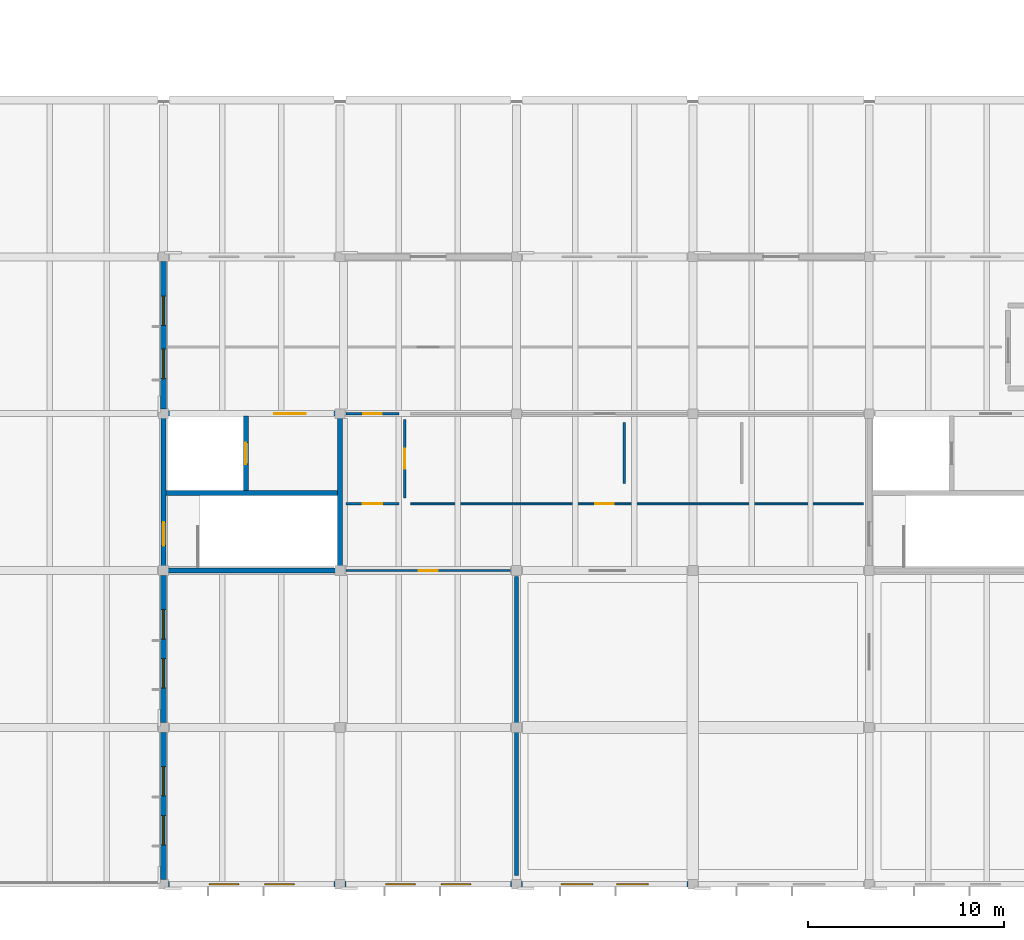
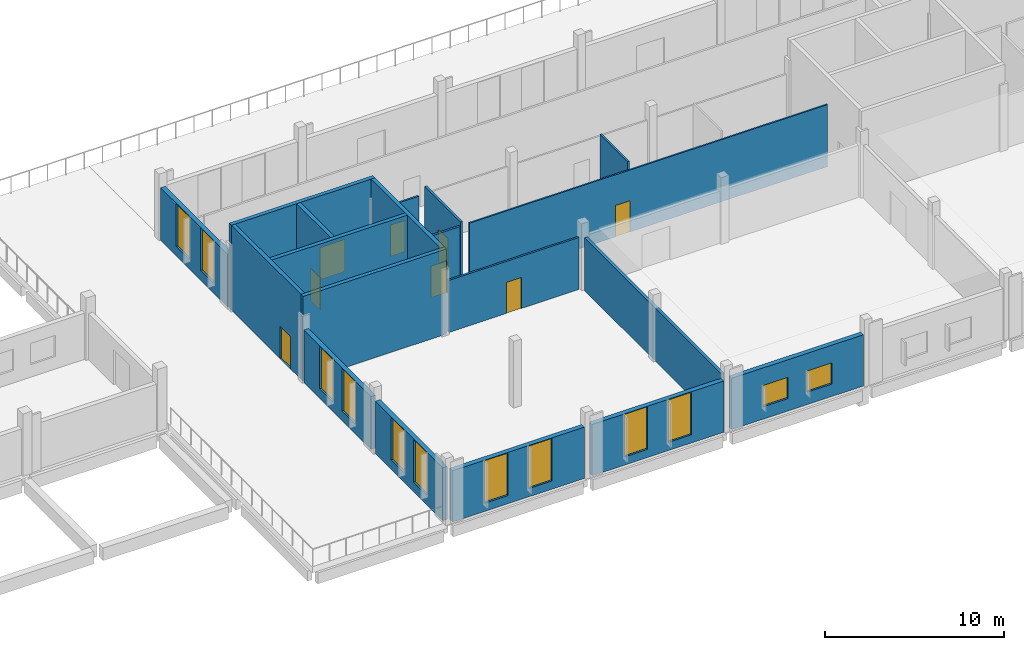
# One storey, part 12 of 25: 19 walls, 12 windows, 8 doors, 20 openings.
"""IFC4 building model written with IfcOpenShell, lengths in metres."""

from ifc_helpers import new_model, si_unit, direction, frame, frame_2d, origin, place, context, subcontext, project, spatial, rectangle, extrude, material, layer, layer_set, type_object, element, fill, save


model = new_model("IFC4")

# Units and contexts
model_context = context("Model", 3, precision=1e-05, world=origin(), true_north=direction((0.0, 1.0)))
body_context = subcontext(model_context, "Body", "Model", "MODEL_VIEW")
ifc_project = project(units=[si_unit("LENGTHUNIT", "METRE"), si_unit("AREAUNIT", "SQUARE_METRE"), si_unit("VOLUMEUNIT", "CUBIC_METRE"), si_unit("PLANEANGLEUNIT", "RADIAN"), si_unit("MASSUNIT", "GRAM", prefix="KILO")], contexts=[model_context])

# Site, building, storey
site_placement = place(None, origin())
site = spatial("IfcSite", under=ifc_project, at=site_placement, CompositionType="ELEMENT")
building_placement = place(site_placement, origin())
building = spatial("IfcBuilding", under=site, at=building_placement, Name="Zacnel Wholesale Market", CompositionType="ELEMENT")
storey_placement = place(building_placement, frame((0.0, 0.0, 15.75)))
storey = spatial("IfcBuildingStorey", under=building, at=storey_placement, Name="L04", CompositionType="ELEMENT", Elevation=15.75)

# Walls
ifc_material_1 = material(Name="PIR insulated cold-store panel")
ifc_layer_1 = layer(ifc_material_1, 0.195068359375)
ifc_layer_set_1 = layer_set([ifc_layer_1], Name="PIR insulated cold-store panel")
wall_type_1 = type_object("IfcWallType", Name="WL-COLD-INT195", PredefinedType="STANDARD", material=ifc_layer_set_1)
wall_1_placement = place(storey_placement, frame((171.0, 0.449951171875, 0.0), z_axis=(0.0, 0.0, 1.0), x_axis=(0.0, 1.0, 0.0)))
element("IfcWall", 1, at=wall_1_placement, inside=storey, type_object=wall_type_1, Name="Interior partition L04-0218", PredefinedType="STANDARD", context=body_context, shape_type="SweptSolid", body=[
    extrude(rectangle(XDim=15.25, YDim=0.195068359375, at=frame_2d((7.625, 0.0))), origin(), (0.0, 0.0, 1.0), 3.60009765625),
])
ifc_material_2 = material(Name="Concrete C40/50", Category="concrete")
ifc_layer_2 = layer(ifc_material_2, 0.25)
ifc_layer_set_2 = layer_set([ifc_layer_2], Name="Concrete C40/50")
wall_type_2 = type_object("IfcWallType", Name="WL-CORE-SW250", PredefinedType="SOLIDWALL", material=ifc_layer_set_2)
wall_2_placement = place(storey_placement, frame((152.875, 16.0, 0.0), z_axis=(0.0, 0.0, 1.0), x_axis=(1.0, 0.0, 0.0)))
element("IfcWall", 2, at=wall_2_placement, inside=storey, type_object=wall_type_2, Name="Core C1 south shear wall L04", PredefinedType="SOLIDWALL", context=body_context, shape_type="SweptSolid", body=[
    extrude(rectangle(XDim=9.25, YDim=0.25, at=frame_2d((4.625, 0.0))), origin(), (0.0, 0.0, 1.0), 5.800048828125),
])

# Wall, opening, door
wall_3_placement = place(storey_placement, frame((152.875, 24.0, 0.0), z_axis=(0.0, 0.0, 1.0), x_axis=(1.0, 0.0, 0.0)))
wall_3 = element("IfcWall", 3, at=wall_3_placement, inside=storey, type_object=wall_type_2, Name="Core C1 north shear wall L04", PredefinedType="SOLIDWALL", context=body_context, shape_type="SweptSolid", body=[
    extrude(rectangle(XDim=9.25, YDim=0.25, at=frame_2d((4.625, 0.0))), origin(), (0.0, 0.0, 1.0), 5.800048828125),
])
opening_1_placement = place(wall_3_placement, frame((5.77490234375, 0.0, 0.0)))
opening_1 = element("IfcOpeningElement", 4, at=opening_1_placement, cuts=wall_3, Name="Opening FD-02", PredefinedType="OPENING", context=body_context, shape_type="SweptSolid", body=[
    extrude(rectangle(XDim=1.60009765625, YDim=2.199951171875, at=frame_2d((0.800048828125, 1.10009765625))), frame((0.0, 0.135009765625, 0.0), z_axis=(0.0, -1.0, 0.0), x_axis=(1.0, 0.0, 0.0)), (0.0, 0.0, 1.0), 0.27001953125),
])
ifc_material_3 = material(Name="Galvanized steel", Category="steel")
door_type_1 = type_object("IfcDoorType", Name="DR-FIRE-LOBBY-1600", OperationType="NOTDEFINED", PredefinedType="DOOR", material=ifc_material_3)
door_1_placement = place(opening_1_placement, origin())
door_1 = element("IfcDoor", 5, at=door_1_placement, inside=storey, type_object=door_type_1, Name="Core lift lobby fire door C1 L04", OperationType="SINGLE_SWING_LEFT", OverallHeight=2.199951171875, OverallWidth=1.60009765625, PredefinedType="DOOR", context=body_context, shape_type="SweptSolid", body=[
    extrude(rectangle(XDim=1.60009765625, YDim=2.199951171875, at=frame_2d((0.800048828125, 1.10009765625))), frame((0.0, 0.02490234375, 0.0), z_axis=(0.0, -1.0, 0.0), x_axis=(1.0, 0.0, 0.0)), (0.0, 0.0, 1.0), 0.050048828125),
])
fill(opening_1, door_1)

wall_4_placement = place(storey_placement, frame((153.0, 16.125, 0.0), z_axis=(0.0, 0.0, 1.0), x_axis=(0.0, 1.0, 0.0)))
wall_4 = element("IfcWall", 6, at=wall_4_placement, inside=storey, type_object=wall_type_2, Name="Core C1 west shear wall L04", PredefinedType="SOLIDWALL", context=body_context, shape_type="SweptSolid", body=[
    extrude(rectangle(XDim=7.75, YDim=0.25, at=frame_2d((3.875, 0.0))), origin(), (0.0, 0.0, 1.0), 5.800048828125),
])
opening_2_placement = place(wall_4_placement, frame((1.14990234375, 0.0, 0.0)))
opening_2 = element("IfcOpeningElement", 7, at=opening_2_placement, cuts=wall_4, Name="Opening FD-01", PredefinedType="OPENING", context=body_context, shape_type="SweptSolid", body=[
    extrude(rectangle(XDim=1.199951171875, YDim=2.199951171875, at=frame_2d((0.60009765625, 1.10009765625))), frame((0.0, 0.135009765625, 0.0), z_axis=(0.0, -1.0, 0.0), x_axis=(1.0, 0.0, 0.0)), (0.0, 0.0, 1.0), 0.27001953125),
])
ifc_material_4 = material(Name="Galvanized steel", Category="steel")
door_type_2 = type_object("IfcDoorType", Name="DR-FIRE-STAIR-1200", OperationType="NOTDEFINED", PredefinedType="DOOR", material=ifc_material_4)
door_2_placement = place(opening_2_placement, origin())
door_2 = element("IfcDoor", 8, at=door_2_placement, inside=storey, type_object=door_type_2, Name="Protected stair fire door C1 L04", OperationType="SINGLE_SWING_RIGHT", OverallHeight=2.199951171875, OverallWidth=1.199951171875, PredefinedType="DOOR", context=body_context, shape_type="SweptSolid", body=[
    extrude(rectangle(XDim=1.199951171875, YDim=2.199951171875, at=frame_2d((0.60009765625, 1.10009765625))), frame((0.0, 0.02490234375, 0.0), z_axis=(0.0, -1.0, 0.0), x_axis=(1.0, 0.0, 0.0)), (0.0, 0.0, 1.0), 0.050048828125),
])
fill(opening_2, door_2)

# Walls
wall_5_placement = place(storey_placement, frame((162.0, 16.125, 0.0), z_axis=(0.0, 0.0, 1.0), x_axis=(0.0, 1.0, 0.0)))
element("IfcWall", 9, at=wall_5_placement, inside=storey, type_object=wall_type_2, Name="Core C1 east shear wall L04", PredefinedType="SOLIDWALL", context=body_context, shape_type="SweptSolid", body=[
    extrude(rectangle(XDim=7.75, YDim=0.25, at=frame_2d((3.875, 0.0))), origin(), (0.0, 0.0, 1.0), 5.800048828125),
])
wall_6_placement = place(storey_placement, frame((153.125, 19.949951171875, 0.0), z_axis=(0.0, 0.0, 1.0), x_axis=(1.0, 0.0, 0.0)))
element("IfcWall", 10, at=wall_6_placement, inside=storey, type_object=wall_type_2, Name="Core C1 stair-shaft shear wall L04", PredefinedType="SOLIDWALL", context=body_context, shape_type="SweptSolid", body=[
    extrude(rectangle(XDim=8.75, YDim=0.25, at=frame_2d((4.375, 0.0))), origin(), (0.0, 0.0, 1.0), 5.800048828125),
])

# Wall, opening, door
wall_7_placement = place(storey_placement, frame((157.199951171875, 20.074951171875, 0.0), z_axis=(0.0, 0.0, 1.0), x_axis=(0.0, 1.0, 0.0)))
wall_7 = element("IfcWall", 11, at=wall_7_placement, inside=storey, type_object=wall_type_2, Name="Core C1 lift shaft front wall L04", PredefinedType="SOLIDWALL", context=body_context, shape_type="SweptSolid", body=[
    extrude(rectangle(XDim=3.800048828125, YDim=0.25, at=frame_2d((1.89990234375, 0.0))), origin(), (0.0, 0.0, 1.0), 5.800048828125),
])
opening_3_placement = place(wall_7_placement, frame((1.35009765625, 0.0, 0.0)))
opening_3 = element("IfcOpeningElement", 12, at=opening_3_placement, cuts=wall_7, Name="Opening LD-01", PredefinedType="OPENING", context=body_context, shape_type="SweptSolid", body=[
    extrude(rectangle(XDim=1.10009765625, YDim=2.199951171875, at=frame_2d((0.550048828125, 1.10009765625))), frame((0.0, 0.135009765625, 0.0), z_axis=(0.0, -1.0, 0.0), x_axis=(1.0, 0.0, 0.0)), (0.0, 0.0, 1.0), 0.27001953125),
])
ifc_material_5 = material(Name="Galvanized steel", Category="steel")
door_type_3 = type_object("IfcDoorType", Name="DR-LIFT-PASS-1100", OperationType="NOTDEFINED", PredefinedType="DOOR", material=ifc_material_5)
door_3_placement = place(opening_3_placement, origin())
door_3 = element("IfcDoor", 13, at=door_3_placement, inside=storey, type_object=door_type_3, Name="Lift landing door LP-01 L04", OperationType="SLIDING_TO_LEFT", OverallHeight=2.199951171875, OverallWidth=1.10009765625, PredefinedType="DOOR", context=body_context, shape_type="SweptSolid", body=[
    extrude(rectangle(XDim=1.10009765625, YDim=2.199951171875, at=frame_2d((0.550048828125, 1.10009765625))), frame((0.0, 0.02490234375, 0.0), z_axis=(0.0, -1.0, 0.0), x_axis=(1.0, 0.0, 0.0)), (0.0, 0.0, 1.0), 0.050048828125),
])
fill(opening_3, door_3)

# Wall, openings, windows
ifc_material_6 = material(Name="Precast concrete C40/50 (Cancun limestone aggregate)", Category="masonry")
ifc_layer_3 = layer(ifc_material_6, 0.300048828125)
ifc_layer_set_3 = layer_set([ifc_layer_3], Name="Precast concrete C40/50 (Cancun limestone aggregate)")
wall_type_3 = type_object("IfcWallType", Name="WL-EXT-LIME-300", PredefinedType="SOLIDWALL", material=ifc_layer_set_3)
wall_8_placement = place(storey_placement, frame((153.25, 0.0, 0.0), z_axis=(0.0, 0.0, 1.0), x_axis=(1.0, 0.0, 0.0)))
wall_8 = element("IfcWall", 14, at=wall_8_placement, inside=storey, type_object=wall_type_3, Name="Exterior wall L04-0481", PredefinedType="SOLIDWALL", context=body_context, shape_type="SweptSolid", body=[
    extrude(rectangle(XDim=8.5, YDim=0.300048828125, at=frame_2d((4.25, 0.0))), origin(), (0.0, 0.0, 1.0), 3.5),
])
opening_4_placement = place(wall_8_placement, frame((2.0830078125, 0.0, 0.56005859375)))
opening_4 = element("IfcOpeningElement", 15, at=opening_4_placement, cuts=wall_8, Name="Opening W-04", PredefinedType="OPENING", context=body_context, shape_type="SweptSolid", body=[
    extrude(rectangle(XDim=1.5, YDim=2.89990234375, at=frame_2d((0.75, 1.449951171875))), frame((0.0, 0.159912109375, 0.0), z_axis=(0.0, -1.0, 0.0), x_axis=(1.0, 0.0, 0.0)), (0.0, 0.0, 1.0), 0.320068359375),
])
opening_5_placement = place(wall_8_placement, frame((4.9169921875, 0.0, 0.56005859375)))
opening_5 = element("IfcOpeningElement", 16, at=opening_5_placement, cuts=wall_8, Name="Opening W-04", PredefinedType="OPENING", context=body_context, shape_type="SweptSolid", body=[
    extrude(rectangle(XDim=1.5, YDim=2.89990234375, at=frame_2d((0.75, 1.449951171875))), frame((0.0, 0.159912109375, 0.0), z_axis=(0.0, -1.0, 0.0), x_axis=(1.0, 0.0, 0.0)), (0.0, 0.0, 1.0), 0.320068359375),
])
ifc_material_7 = material(Name="Laminated hurricane-impact low-E insulated glass", Category="glass")
window_type_1 = type_object("IfcWindowType", Name="WIN-DEC-1500X2900", PartitioningType="DOUBLE_PANEL_VERTICAL", PredefinedType="WINDOW", material=ifc_material_7)
window_1_placement = place(opening_4_placement, origin())
window_1 = element("IfcWindow", 17, at=window_1_placement, inside=storey, type_object=window_type_1, Name="Window L04-0508", OverallHeight=2.89990234375, OverallWidth=1.5, PartitioningType="DOUBLE_PANEL_VERTICAL", PredefinedType="WINDOW", context=body_context, shape_type="SweptSolid", body=[
    extrude(rectangle(XDim=1.5, YDim=2.89990234375, at=frame_2d((0.75, 1.449951171875))), frame((0.0, 0.030029296875, 0.0), z_axis=(0.0, -1.0, 0.0), x_axis=(1.0, 0.0, 0.0)), (0.0, 0.0, 1.0), 0.06005859375),
])
fill(opening_4, window_1)
window_2_placement = place(opening_5_placement, origin())
window_2 = element("IfcWindow", 18, at=window_2_placement, inside=storey, type_object=window_type_1, Name="Window L04-0509", OverallHeight=2.89990234375, OverallWidth=1.5, PartitioningType="DOUBLE_PANEL_VERTICAL", PredefinedType="WINDOW", context=body_context, shape_type="SweptSolid", body=[
    extrude(rectangle(XDim=1.5, YDim=2.89990234375, at=frame_2d((0.75, 1.449951171875))), frame((0.0, 0.030029296875, 0.0), z_axis=(0.0, -1.0, 0.0), x_axis=(1.0, 0.0, 0.0)), (0.0, 0.0, 1.0), 0.06005859375),
])
fill(opening_5, window_2)

wall_9_placement = place(storey_placement, frame((162.25, 0.0, 0.0), z_axis=(0.0, 0.0, 1.0), x_axis=(1.0, 0.0, 0.0)))
wall_9 = element("IfcWall", 19, at=wall_9_placement, inside=storey, type_object=wall_type_3, Name="Exterior wall L04-0482", PredefinedType="SOLIDWALL", context=body_context, shape_type="SweptSolid", body=[
    extrude(rectangle(XDim=8.5, YDim=0.300048828125, at=frame_2d((4.25, 0.0))), origin(), (0.0, 0.0, 1.0), 3.5),
])
opening_6_placement = place(wall_9_placement, frame((2.0830078125, 0.0, 0.56005859375)))
opening_6 = element("IfcOpeningElement", 20, at=opening_6_placement, cuts=wall_9, Name="Opening W-04", PredefinedType="OPENING", context=body_context, shape_type="SweptSolid", body=[
    extrude(rectangle(XDim=1.5, YDim=2.89990234375, at=frame_2d((0.75, 1.449951171875))), frame((0.0, 0.159912109375, 0.0), z_axis=(0.0, -1.0, 0.0), x_axis=(1.0, 0.0, 0.0)), (0.0, 0.0, 1.0), 0.320068359375),
])
opening_7_placement = place(wall_9_placement, frame((4.9169921875, 0.0, 0.56005859375)))
opening_7 = element("IfcOpeningElement", 21, at=opening_7_placement, cuts=wall_9, Name="Opening W-04", PredefinedType="OPENING", context=body_context, shape_type="SweptSolid", body=[
    extrude(rectangle(XDim=1.5, YDim=2.89990234375, at=frame_2d((0.75, 1.449951171875))), frame((0.0, 0.159912109375, 0.0), z_axis=(0.0, -1.0, 0.0), x_axis=(1.0, 0.0, 0.0)), (0.0, 0.0, 1.0), 0.320068359375),
])
window_3_placement = place(opening_6_placement, origin())
window_3 = element("IfcWindow", 22, at=window_3_placement, inside=storey, type_object=window_type_1, Name="Window L04-0510", OverallHeight=2.89990234375, OverallWidth=1.5, PartitioningType="DOUBLE_PANEL_VERTICAL", PredefinedType="WINDOW", context=body_context, shape_type="SweptSolid", body=[
    extrude(rectangle(XDim=1.5, YDim=2.89990234375, at=frame_2d((0.75, 1.449951171875))), frame((0.0, 0.030029296875, 0.0), z_axis=(0.0, -1.0, 0.0), x_axis=(1.0, 0.0, 0.0)), (0.0, 0.0, 1.0), 0.06005859375),
])
fill(opening_6, window_3)
window_4_placement = place(opening_7_placement, origin())
window_4 = element("IfcWindow", 23, at=window_4_placement, inside=storey, type_object=window_type_1, Name="Window L04-0511", OverallHeight=2.89990234375, OverallWidth=1.5, PartitioningType="DOUBLE_PANEL_VERTICAL", PredefinedType="WINDOW", context=body_context, shape_type="SweptSolid", body=[
    extrude(rectangle(XDim=1.5, YDim=2.89990234375, at=frame_2d((0.75, 1.449951171875))), frame((0.0, 0.030029296875, 0.0), z_axis=(0.0, -1.0, 0.0), x_axis=(1.0, 0.0, 0.0)), (0.0, 0.0, 1.0), 0.06005859375),
])
fill(opening_7, window_4)

wall_10_placement = place(storey_placement, frame((171.25, 0.0, 0.0), z_axis=(0.0, 0.0, 1.0), x_axis=(1.0, 0.0, 0.0)))
wall_10 = element("IfcWall", 24, at=wall_10_placement, inside=storey, type_object=wall_type_3, Name="Exterior wall L04-0483", PredefinedType="SOLIDWALL", context=body_context, shape_type="SweptSolid", body=[
    extrude(rectangle(XDim=8.5, YDim=0.300048828125, at=frame_2d((4.25, 0.0))), origin(), (0.0, 0.0, 1.0), 3.5),
])
opening_8_placement = place(wall_10_placement, frame((2.032958984375, 0.0, 0.85009765625)))
opening_8 = element("IfcOpeningElement", 25, at=opening_8_placement, cuts=wall_10, Name="Opening W-06", PredefinedType="OPENING", context=body_context, shape_type="SweptSolid", body=[
    extrude(rectangle(XDim=1.60009765625, YDim=1.449951171875, at=frame_2d((0.800048828125, 0.72509765625))), frame((0.0, 0.159912109375, 0.0), z_axis=(0.0, -1.0, 0.0), x_axis=(1.0, 0.0, 0.0)), (0.0, 0.0, 1.0), 0.320068359375),
])
opening_9_placement = place(wall_10_placement, frame((4.866943359375, 0.0, 0.85009765625)))
opening_9 = element("IfcOpeningElement", 26, at=opening_9_placement, cuts=wall_10, Name="Opening W-06", PredefinedType="OPENING", context=body_context, shape_type="SweptSolid", body=[
    extrude(rectangle(XDim=1.60009765625, YDim=1.449951171875, at=frame_2d((0.800048828125, 0.72509765625))), frame((0.0, 0.159912109375, 0.0), z_axis=(0.0, -1.0, 0.0), x_axis=(1.0, 0.0, 0.0)), (0.0, 0.0, 1.0), 0.320068359375),
])
ifc_material_8 = material(Name="Laminated hurricane-impact low-E insulated glass", Category="glass")
window_type_2 = type_object("IfcWindowType", Name="WIN-HIG-1600X1450", PartitioningType="DOUBLE_PANEL_HORIZONTAL", PredefinedType="WINDOW", material=ifc_material_8)
window_5_placement = place(opening_8_placement, origin())
window_5 = element("IfcWindow", 27, at=window_5_placement, inside=storey, type_object=window_type_2, Name="Window L04-0512", OverallHeight=1.449951171875, OverallWidth=1.60009765625, PartitioningType="DOUBLE_PANEL_HORIZONTAL", PredefinedType="WINDOW", context=body_context, shape_type="SweptSolid", body=[
    extrude(rectangle(XDim=1.60009765625, YDim=1.449951171875, at=frame_2d((0.800048828125, 0.72509765625))), frame((0.0, 0.030029296875, 0.0), z_axis=(0.0, -1.0, 0.0), x_axis=(1.0, 0.0, 0.0)), (0.0, 0.0, 1.0), 0.06005859375),
])
fill(opening_8, window_5)
window_6_placement = place(opening_9_placement, origin())
window_6 = element("IfcWindow", 28, at=window_6_placement, inside=storey, type_object=window_type_2, Name="Window L04-0513", OverallHeight=1.449951171875, OverallWidth=1.60009765625, PartitioningType="DOUBLE_PANEL_HORIZONTAL", PredefinedType="WINDOW", context=body_context, shape_type="SweptSolid", body=[
    extrude(rectangle(XDim=1.60009765625, YDim=1.449951171875, at=frame_2d((0.800048828125, 0.72509765625))), frame((0.0, 0.030029296875, 0.0), z_axis=(0.0, -1.0, 0.0), x_axis=(1.0, 0.0, 0.0)), (0.0, 0.0, 1.0), 0.06005859375),
])
fill(opening_9, window_6)

wall_11_placement = place(storey_placement, frame((153.0, 0.25, 0.0), z_axis=(0.0, 0.0, 1.0), x_axis=(0.0, 1.0, 0.0)))
wall_11 = element("IfcWall", 29, at=wall_11_placement, inside=storey, type_object=wall_type_3, Name="Exterior wall L04-0493", PredefinedType="SOLIDWALL", context=body_context, shape_type="SweptSolid", body=[
    extrude(rectangle(XDim=7.5, YDim=0.300048828125, at=frame_2d((3.75, 0.0))), origin(), (0.0, 0.0, 1.0), 3.60009765625),
])
opening_10_placement = place(wall_11_placement, frame((1.75, 0.0, 0.659912109375)))
opening_10 = element("IfcOpeningElement", 30, at=opening_10_placement, cuts=wall_11, Name="Opening W-04", PredefinedType="OPENING", context=body_context, shape_type="SweptSolid", body=[
    extrude(rectangle(XDim=1.5, YDim=2.89990234375, at=frame_2d((0.75, 1.449951171875))), frame((0.0, 0.159912109375, 0.0), z_axis=(0.0, -1.0, 0.0), x_axis=(1.0, 0.0, 0.0)), (0.0, 0.0, 1.0), 0.320068359375),
])
opening_11_placement = place(wall_11_placement, frame((4.25, 0.0, 0.659912109375)))
opening_11 = element("IfcOpeningElement", 31, at=opening_11_placement, cuts=wall_11, Name="Opening W-04", PredefinedType="OPENING", context=body_context, shape_type="SweptSolid", body=[
    extrude(rectangle(XDim=1.5, YDim=2.89990234375, at=frame_2d((0.75, 1.449951171875))), frame((0.0, 0.159912109375, 0.0), z_axis=(0.0, -1.0, 0.0), x_axis=(1.0, 0.0, 0.0)), (0.0, 0.0, 1.0), 0.320068359375),
])
window_7_placement = place(opening_10_placement, origin())
window_7 = element("IfcWindow", 32, at=window_7_placement, inside=storey, type_object=window_type_1, Name="Window L04-0526", OverallHeight=2.89990234375, OverallWidth=1.5, PartitioningType="DOUBLE_PANEL_VERTICAL", PredefinedType="WINDOW", context=body_context, shape_type="SweptSolid", body=[
    extrude(rectangle(XDim=1.5, YDim=2.89990234375, at=frame_2d((0.75, 1.449951171875))), frame((0.0, 0.030029296875, 0.0), z_axis=(0.0, -1.0, 0.0), x_axis=(1.0, 0.0, 0.0)), (0.0, 0.0, 1.0), 0.06005859375),
])
fill(opening_10, window_7)
window_8_placement = place(opening_11_placement, origin())
window_8 = element("IfcWindow", 33, at=window_8_placement, inside=storey, type_object=window_type_1, Name="Window L04-0527", OverallHeight=2.89990234375, OverallWidth=1.5, PartitioningType="DOUBLE_PANEL_VERTICAL", PredefinedType="WINDOW", context=body_context, shape_type="SweptSolid", body=[
    extrude(rectangle(XDim=1.5, YDim=2.89990234375, at=frame_2d((0.75, 1.449951171875))), frame((0.0, 0.030029296875, 0.0), z_axis=(0.0, -1.0, 0.0), x_axis=(1.0, 0.0, 0.0)), (0.0, 0.0, 1.0), 0.06005859375),
])
fill(opening_11, window_8)

wall_12_placement = place(storey_placement, frame((153.0, 8.25, 0.0), z_axis=(0.0, 0.0, 1.0), x_axis=(0.0, 1.0, 0.0)))
wall_12 = element("IfcWall", 34, at=wall_12_placement, inside=storey, type_object=wall_type_3, Name="Exterior wall L04-0494", PredefinedType="SOLIDWALL", context=body_context, shape_type="SweptSolid", body=[
    extrude(rectangle(XDim=7.5, YDim=0.300048828125, at=frame_2d((3.75, 0.0))), origin(), (0.0, 0.0, 1.0), 3.60009765625),
])
opening_12_placement = place(wall_12_placement, frame((1.75, 0.0, 0.659912109375)))
opening_12 = element("IfcOpeningElement", 35, at=opening_12_placement, cuts=wall_12, Name="Opening W-04", PredefinedType="OPENING", context=body_context, shape_type="SweptSolid", body=[
    extrude(rectangle(XDim=1.5, YDim=2.89990234375, at=frame_2d((0.75, 1.449951171875))), frame((0.0, 0.159912109375, 0.0), z_axis=(0.0, -1.0, 0.0), x_axis=(1.0, 0.0, 0.0)), (0.0, 0.0, 1.0), 0.320068359375),
])
opening_13_placement = place(wall_12_placement, frame((4.25, 0.0, 0.659912109375)))
opening_13 = element("IfcOpeningElement", 36, at=opening_13_placement, cuts=wall_12, Name="Opening W-04", PredefinedType="OPENING", context=body_context, shape_type="SweptSolid", body=[
    extrude(rectangle(XDim=1.5, YDim=2.89990234375, at=frame_2d((0.75, 1.449951171875))), frame((0.0, 0.159912109375, 0.0), z_axis=(0.0, -1.0, 0.0), x_axis=(1.0, 0.0, 0.0)), (0.0, 0.0, 1.0), 0.320068359375),
])
window_9_placement = place(opening_12_placement, origin())
window_9 = element("IfcWindow", 37, at=window_9_placement, inside=storey, type_object=window_type_1, Name="Window L04-0528", OverallHeight=2.89990234375, OverallWidth=1.5, PartitioningType="DOUBLE_PANEL_VERTICAL", PredefinedType="WINDOW", context=body_context, shape_type="SweptSolid", body=[
    extrude(rectangle(XDim=1.5, YDim=2.89990234375, at=frame_2d((0.75, 1.449951171875))), frame((0.0, 0.030029296875, 0.0), z_axis=(0.0, -1.0, 0.0), x_axis=(1.0, 0.0, 0.0)), (0.0, 0.0, 1.0), 0.06005859375),
])
fill(opening_12, window_9)
window_10_placement = place(opening_13_placement, origin())
window_10 = element("IfcWindow", 38, at=window_10_placement, inside=storey, type_object=window_type_1, Name="Window L04-0529", OverallHeight=2.89990234375, OverallWidth=1.5, PartitioningType="DOUBLE_PANEL_VERTICAL", PredefinedType="WINDOW", context=body_context, shape_type="SweptSolid", body=[
    extrude(rectangle(XDim=1.5, YDim=2.89990234375, at=frame_2d((0.75, 1.449951171875))), frame((0.0, 0.030029296875, 0.0), z_axis=(0.0, -1.0, 0.0), x_axis=(1.0, 0.0, 0.0)), (0.0, 0.0, 1.0), 0.06005859375),
])
fill(opening_13, window_10)

wall_13_placement = place(storey_placement, frame((153.0, 24.25, 0.0), z_axis=(0.0, 0.0, 1.0), x_axis=(0.0, 1.0, 0.0)))
wall_13 = element("IfcWall", 39, at=wall_13_placement, inside=storey, type_object=wall_type_3, Name="Exterior wall L04-0495", PredefinedType="SOLIDWALL", context=body_context, shape_type="SweptSolid", body=[
    extrude(rectangle(XDim=7.5, YDim=0.300048828125, at=frame_2d((3.75, 0.0))), origin(), (0.0, 0.0, 1.0), 3.60009765625),
])
opening_14_placement = place(wall_13_placement, frame((1.537109375, 0.0, 0.659912109375)))
opening_14 = element("IfcOpeningElement", 40, at=opening_14_placement, cuts=wall_13, Name="Opening W-04", PredefinedType="OPENING", context=body_context, shape_type="SweptSolid", body=[
    extrude(rectangle(XDim=1.5, YDim=2.89990234375, at=frame_2d((0.75, 1.449951171875))), frame((0.0, 0.159912109375, 0.0), z_axis=(0.0, -1.0, 0.0), x_axis=(1.0, 0.0, 0.0)), (0.0, 0.0, 1.0), 0.320068359375),
])
opening_15_placement = place(wall_13_placement, frame((4.25, 0.0, 0.659912109375)))
opening_15 = element("IfcOpeningElement", 41, at=opening_15_placement, cuts=wall_13, Name="Opening W-04", PredefinedType="OPENING", context=body_context, shape_type="SweptSolid", body=[
    extrude(rectangle(XDim=1.5, YDim=2.89990234375, at=frame_2d((0.75, 1.449951171875))), frame((0.0, 0.159912109375, 0.0), z_axis=(0.0, -1.0, 0.0), x_axis=(1.0, 0.0, 0.0)), (0.0, 0.0, 1.0), 0.320068359375),
])
window_11_placement = place(opening_14_placement, origin())
window_11 = element("IfcWindow", 42, at=window_11_placement, inside=storey, type_object=window_type_1, Name="Window L04-0530", OverallHeight=2.89990234375, OverallWidth=1.5, PartitioningType="DOUBLE_PANEL_VERTICAL", PredefinedType="WINDOW", context=body_context, shape_type="SweptSolid", body=[
    extrude(rectangle(XDim=1.5, YDim=2.89990234375, at=frame_2d((0.75, 1.449951171875))), frame((0.0, 0.030029296875, 0.0), z_axis=(0.0, -1.0, 0.0), x_axis=(1.0, 0.0, 0.0)), (0.0, 0.0, 1.0), 0.06005859375),
])
fill(opening_14, window_11)
window_12_placement = place(opening_15_placement, origin())
window_12 = element("IfcWindow", 43, at=window_12_placement, inside=storey, type_object=window_type_1, Name="Window L04-0531", OverallHeight=2.89990234375, OverallWidth=1.5, PartitioningType="DOUBLE_PANEL_VERTICAL", PredefinedType="WINDOW", context=body_context, shape_type="SweptSolid", body=[
    extrude(rectangle(XDim=1.5, YDim=2.89990234375, at=frame_2d((0.75, 1.449951171875))), frame((0.0, 0.030029296875, 0.0), z_axis=(0.0, -1.0, 0.0), x_axis=(1.0, 0.0, 0.0)), (0.0, 0.0, 1.0), 0.06005859375),
])
fill(opening_15, window_12)

# Wall
ifc_material_9 = material(Name="Acoustic operable partition system")
ifc_layer_4 = layer(ifc_material_9, 0.1201171875)
ifc_layer_set_4 = layer_set([ifc_layer_4], Name="Acoustic operable partition system")
wall_type_4 = type_object("IfcWallType", Name="WL-MOV-AC120", PredefinedType="MOVABLE", material=ifc_layer_set_4)
wall_14_placement = place(storey_placement, frame((176.5, 20.449951171875, 0.0), z_axis=(0.0, 0.0, 1.0), x_axis=(0.0, 1.0, 0.0)))
element("IfcWall", 44, at=wall_14_placement, inside=storey, type_object=wall_type_4, Name="Acoustic operable stall divider 01", PredefinedType="MOVABLE", context=body_context, shape_type="SweptSolid", body=[
    extrude(rectangle(XDim=3.10009765625, YDim=0.1201171875, at=frame_2d((1.550048828125, 0.0))), origin(), (0.0, 0.0, 1.0), 3.949951171875),
])

# Wall, opening, door
ifc_material_10 = material(Name="Moisture-resistant gypsum board partition")
ifc_layer_5 = layer(ifc_material_10, 0.10009765625)
ifc_layer_set_5 = layer_set([ifc_layer_5], Name="Moisture-resistant gypsum board partition")
wall_type_5 = type_object("IfcWallType", Name="WL-PART-GYP100", PredefinedType="PARTITIONING", material=ifc_layer_set_5)
wall_15_placement = place(storey_placement, frame((165.60009765625, 19.39990234375, 0.0), z_axis=(0.0, 0.0, 1.0), x_axis=(1.0, 0.0, 0.0)))
wall_15 = element("IfcWall", 45, at=wall_15_placement, inside=storey, type_object=wall_type_5, Name="Interior partition L04-0216", PredefinedType="PARTITIONING", context=body_context, shape_type="SweptSolid", body=[
    extrude(rectangle(XDim=23.099853515625, YDim=0.10009765625, at=frame_2d((11.5498046875, 0.0))), origin(), (0.0, 0.0, 1.0), 4.22998046875),
])
opening_16_placement = place(wall_15_placement, frame((9.429931640625, 0.0, 0.0)))
opening_16 = element("IfcOpeningElement", 46, at=opening_16_placement, cuts=wall_15, Name="Opening ID-11", PredefinedType="OPENING", context=body_context, shape_type="SweptSolid", body=[
    extrude(rectangle(XDim=0.93994140625, YDim=2.139892578125, at=frame_2d((0.469970703125, 1.06982421875))), frame((0.0, 0.06005859375, 0.0), z_axis=(0.0, -1.0, 0.0), x_axis=(1.0, 0.0, 0.0)), (0.0, 0.0, 1.0), 0.1201171875),
])
ifc_material_11 = material(Name="Solid-core tropical hardwood door", Category="wood")
door_type_4 = type_object("IfcDoorType", Name="DR-OFF-SGL-940", OperationType="NOTDEFINED", PredefinedType="DOOR", material=ifc_material_11)
door_4_placement = place(opening_16_placement, origin())
door_4 = element("IfcDoor", 47, at=door_4_placement, inside=storey, type_object=door_type_4, Name="Interior door L04-0169", OperationType="SINGLE_SWING_RIGHT", OverallHeight=2.139892578125, OverallWidth=0.93994140625, PredefinedType="DOOR", context=body_context, shape_type="SweptSolid", body=[
    extrude(rectangle(XDim=0.93994140625, YDim=2.139892578125, at=frame_2d((0.469970703125, 1.06982421875))), frame((0.0, 0.02490234375, 0.0), z_axis=(0.0, -1.0, 0.0), x_axis=(1.0, 0.0, 0.0)), (0.0, 0.0, 1.0), 0.050048828125),
])
fill(opening_16, door_4)

ifc_material_12 = material(Name="Moisture-resistant gypsum board partition")
ifc_layer_6 = layer(ifc_material_12, 0.110107421875)
ifc_layer_set_6 = layer_set([ifc_layer_6], Name="Moisture-resistant gypsum board partition")
wall_type_6 = type_object("IfcWallType", Name="WL-PART-GYP110", PredefinedType="PARTITIONING", material=ifc_layer_set_6)
wall_16_placement = place(storey_placement, frame((162.300048828125, 24.0, 0.0), z_axis=(0.0, 0.0, 1.0), x_axis=(1.0, 0.0, 0.0)))
wall_16 = element("IfcWall", 48, at=wall_16_placement, inside=storey, type_object=wall_type_6, Name="Interior partition L04-0211", PredefinedType="PARTITIONING", context=body_context, shape_type="SweptSolid", body=[
    extrude(rectangle(XDim=2.699951171875, YDim=0.110107421875, at=frame_2d((1.35009765625, 0.0))), origin(), (0.0, 0.0, 1.0), 3.5),
])
opening_17_placement = place(wall_16_placement, frame((0.8798828125, 0.0, 0.0)))
opening_17 = element("IfcOpeningElement", 49, at=opening_17_placement, cuts=wall_16, Name="Opening ID-11", PredefinedType="OPENING", context=body_context, shape_type="SweptSolid", body=[
    extrude(rectangle(XDim=0.93994140625, YDim=2.139892578125, at=frame_2d((0.469970703125, 1.06982421875))), frame((0.0, 0.06494140625, 0.0), z_axis=(0.0, -1.0, 0.0), x_axis=(1.0, 0.0, 0.0)), (0.0, 0.0, 1.0), 0.130126953125),
])
door_5_placement = place(opening_17_placement, origin())
door_5 = element("IfcDoor", 50, at=door_5_placement, inside=storey, type_object=door_type_4, Name="Interior door L04-0164", OperationType="SINGLE_SWING_LEFT", OverallHeight=2.139892578125, OverallWidth=0.93994140625, PredefinedType="DOOR", context=body_context, shape_type="SweptSolid", body=[
    extrude(rectangle(XDim=0.93994140625, YDim=2.139892578125, at=frame_2d((0.469970703125, 1.06982421875))), frame((0.0, 0.02490234375, 0.0), z_axis=(0.0, -1.0, 0.0), x_axis=(1.0, 0.0, 0.0)), (0.0, 0.0, 1.0), 0.050048828125),
])
fill(opening_17, door_5)

ifc_material_13 = material(Name="Moisture-resistant gypsum board partition")
ifc_layer_7 = layer(ifc_material_13, 0.125)
ifc_layer_set_7 = layer_set([ifc_layer_7], Name="Moisture-resistant gypsum board partition")
wall_type_7 = type_object("IfcWallType", Name="WL-PART-GYP125", PredefinedType="PARTITIONING", material=ifc_layer_set_7)
wall_17_placement = place(storey_placement, frame((162.300048828125, 16.0, 0.0), z_axis=(0.0, 0.0, 1.0), x_axis=(1.0, 0.0, 0.0)))
wall_17 = element("IfcWall", 51, at=wall_17_placement, inside=storey, type_object=wall_type_7, Name="Interior partition L04-0214", PredefinedType="PARTITIONING", context=body_context, shape_type="SweptSolid", body=[
    extrude(rectangle(XDim=8.39990234375, YDim=0.125, at=frame_2d((4.199951171875, 0.0))), origin(), (0.0, 0.0, 1.0), 3.550048828125),
])
opening_18_placement = place(wall_17_placement, frame((3.7099609375, 0.0, 0.0)))
opening_18 = element("IfcOpeningElement", 52, at=opening_18_placement, cuts=wall_17, Name="Opening ID-04", PredefinedType="OPENING", context=body_context, shape_type="SweptSolid", body=[
    extrude(rectangle(XDim=0.97998046875, YDim=2.1201171875, at=frame_2d((0.489990234375, 1.06005859375))), frame((0.0, 0.072509765625, 0.0), z_axis=(0.0, -1.0, 0.0), x_axis=(1.0, 0.0, 0.0)), (0.0, 0.0, 1.0), 0.14501953125),
])
ifc_material_14 = material(Name="Solid-core tropical hardwood door", Category="wood")
door_type_5 = type_object("IfcDoorType", Name="DR-OFF-SGL-980", OperationType="NOTDEFINED", PredefinedType="DOOR", material=ifc_material_14)
door_6_placement = place(opening_18_placement, origin())
door_6 = element("IfcDoor", 53, at=door_6_placement, inside=storey, type_object=door_type_5, Name="Interior door L04-0167", OperationType="SINGLE_SWING_RIGHT", OverallHeight=2.1201171875, OverallWidth=0.97998046875, PredefinedType="DOOR", context=body_context, shape_type="SweptSolid", body=[
    extrude(rectangle(XDim=0.97998046875, YDim=2.1201171875, at=frame_2d((0.489990234375, 1.06005859375))), frame((0.0, 0.02490234375, 0.0), z_axis=(0.0, -1.0, 0.0), x_axis=(1.0, 0.0, 0.0)), (0.0, 0.0, 1.0), 0.050048828125),
])
fill(opening_18, door_6)

ifc_material_15 = material(Name="Moisture-resistant gypsum board partition")
ifc_layer_8 = layer(ifc_material_15, 0.139892578125)
ifc_layer_set_8 = layer_set([ifc_layer_8], Name="Moisture-resistant gypsum board partition")
wall_type_8 = type_object("IfcWallType", Name="WL-PART-GYP140", PredefinedType="PARTITIONING", material=ifc_layer_set_8)
wall_18_placement = place(storey_placement, frame((162.300048828125, 19.39990234375, 0.0), z_axis=(0.0, 0.0, 1.0), x_axis=(1.0, 0.0, 0.0)))
wall_18 = element("IfcWall", 54, at=wall_18_placement, inside=storey, type_object=wall_type_8, Name="Interior partition L04-0213", PredefinedType="PARTITIONING", context=body_context, shape_type="SweptSolid", body=[
    extrude(rectangle(XDim=2.699951171875, YDim=0.139892578125, at=frame_2d((1.35009765625, 0.0))), origin(), (0.0, 0.0, 1.0), 4.22998046875),
])
opening_19_placement = place(wall_18_placement, frame((0.85009765625, 0.0, 0.0)))
opening_19 = element("IfcOpeningElement", 55, at=opening_19_placement, cuts=wall_18, Name="Opening ID-03", PredefinedType="OPENING", context=body_context, shape_type="SweptSolid", body=[
    extrude(rectangle(XDim=1.0, YDim=2.14990234375, at=frame_2d((0.5, 1.074951171875))), frame((0.0, 0.079833984375, 0.0), z_axis=(0.0, -1.0, 0.0), x_axis=(1.0, 0.0, 0.0)), (0.0, 0.0, 1.0), 0.159912109375),
])
ifc_material_16 = material(Name="Solid-core tropical hardwood door", Category="wood")
door_type_6 = type_object("IfcDoorType", Name="DR-OFF-SGL-1000", OperationType="NOTDEFINED", PredefinedType="DOOR", material=ifc_material_16)
door_7_placement = place(opening_19_placement, origin())
door_7 = element("IfcDoor", 56, at=door_7_placement, inside=storey, type_object=door_type_6, Name="Interior door L04-0166", OperationType="SINGLE_SWING_LEFT", OverallHeight=2.14990234375, OverallWidth=1.0, PredefinedType="DOOR", context=body_context, shape_type="SweptSolid", body=[
    extrude(rectangle(XDim=1.0, YDim=2.14990234375, at=frame_2d((0.5, 1.074951171875))), frame((0.0, 0.02490234375, 0.0), z_axis=(0.0, -1.0, 0.0), x_axis=(1.0, 0.0, 0.0)), (0.0, 0.0, 1.0), 0.050048828125),
])
fill(opening_19, door_7)

wall_19_placement = place(storey_placement, frame((165.300048828125, 19.699951171875, 0.0), z_axis=(0.0, 0.0, 1.0), x_axis=(0.0, 1.0, 0.0)))
wall_19 = element("IfcWall", 57, at=wall_19_placement, inside=storey, type_object=wall_type_8, Name="Interior partition L04-0217", PredefinedType="PARTITIONING", context=body_context, shape_type="SweptSolid", body=[
    extrude(rectangle(XDim=4.0, YDim=0.139892578125, at=frame_2d((2.0, 0.0))), origin(), (0.0, 0.0, 1.0), 4.22998046875),
])
opening_20_placement = place(wall_19_placement, frame((1.489990234375, 0.0, 0.0)))
opening_20 = element("IfcOpeningElement", 58, at=opening_20_placement, cuts=wall_19, Name="Opening ID-12", PredefinedType="OPENING", context=body_context, shape_type="SweptSolid", body=[
    extrude(rectangle(XDim=1.02001953125, YDim=2.179931640625, at=frame_2d((0.510009765625, 1.08984375))), frame((0.0, 0.079833984375, 0.0), z_axis=(0.0, -1.0, 0.0), x_axis=(1.0, 0.0, 0.0)), (0.0, 0.0, 1.0), 0.159912109375),
])
ifc_material_17 = material(Name="Solid-core tropical hardwood door", Category="wood")
door_type_7 = type_object("IfcDoorType", Name="DR-OFF-SGL-1020", OperationType="NOTDEFINED", PredefinedType="DOOR", material=ifc_material_17)
door_8_placement = place(opening_20_placement, origin())
door_8 = element("IfcDoor", 59, at=door_8_placement, inside=storey, type_object=door_type_7, Name="Interior door L04-0170", OperationType="SINGLE_SWING_LEFT", OverallHeight=2.179931640625, OverallWidth=1.02001953125, PredefinedType="DOOR", context=body_context, shape_type="SweptSolid", body=[
    extrude(rectangle(XDim=1.02001953125, YDim=2.179931640625, at=frame_2d((0.510009765625, 1.08984375))), frame((0.0, 0.02490234375, 0.0), z_axis=(0.0, -1.0, 0.0), x_axis=(1.0, 0.0, 0.0)), (0.0, 0.0, 1.0), 0.050048828125),
])
fill(opening_20, door_8)

save(model, "model.ifc")
